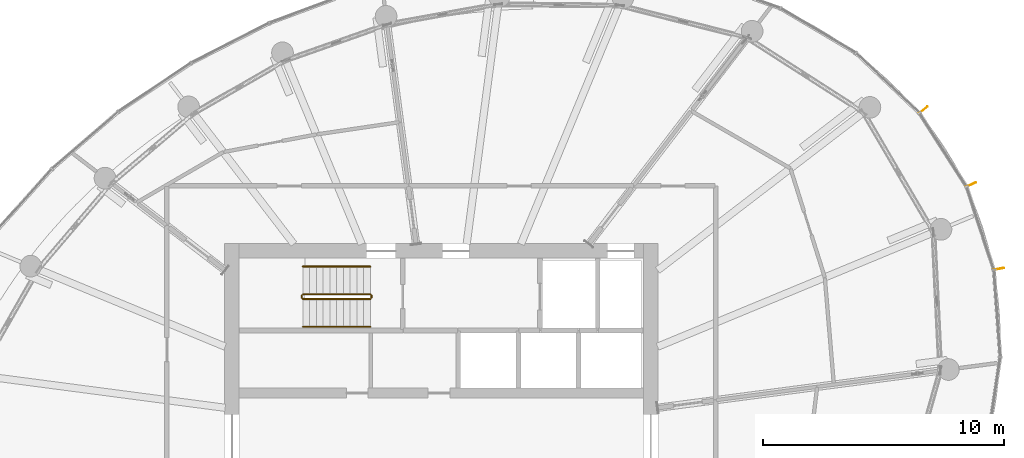
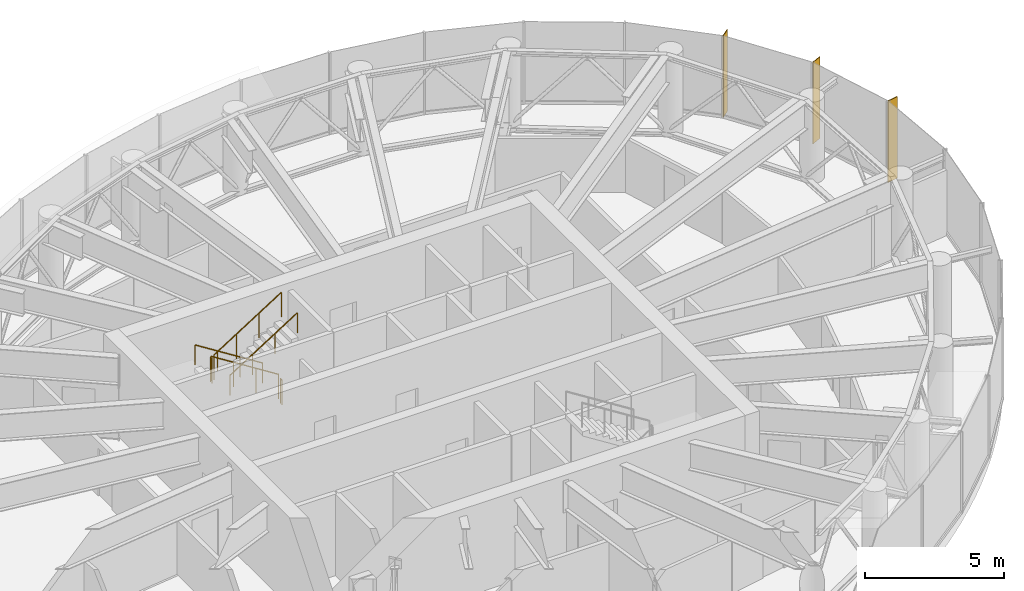
# One storey, part 26 of 26: 6 railings, 3 shading devices.
"""IFC4 building model written with IfcOpenShell, lengths in metres."""

from ifc_helpers import new_model, si_unit, direction, frame, origin, origin_2d, place, context, subcontext, project, spatial, rectangle, circle, extrude, source, transform, mapped, material, material_profile, profile_set, type_object, element, save


model = new_model("IFC4")

# Units and contexts
model_context = context("Model", 3, precision=1e-05, world=origin(), true_north=direction((0.0, 1.0)))
body_context = subcontext(model_context, "Body", "Model", "MODEL_VIEW")
ifc_project = project(units=[si_unit("LENGTHUNIT", "METRE"), si_unit("AREAUNIT", "SQUARE_METRE"), si_unit("VOLUMEUNIT", "CUBIC_METRE"), si_unit("PLANEANGLEUNIT", "RADIAN"), si_unit("MASSUNIT", "GRAM", prefix="KILO")], contexts=[model_context])

# Site, building, storey
site_placement = place(None, origin())
site = spatial("IfcSite", under=ifc_project, at=site_placement, CompositionType="ELEMENT")
building_placement = place(site_placement, origin())
building = spatial("IfcBuilding", under=site, at=building_placement, Name="Spindrift Exchange Tower", CompositionType="ELEMENT")
storey_placement = place(building_placement, frame((0.0, 0.0, 230.60009765625)))
storey = spatial("IfcBuildingStorey", under=building, at=storey_placement, Name="L56", CompositionType="ELEMENT", Elevation=230.60009765625)

# Railings
ifc_material_1 = material(Name="Steel balustrade", Category="steel")
railing_type_1 = type_object("IfcRailingType", Name="RL-STAIR-GUARD", PredefinedType="GUARDRAIL", material=ifc_material_1)
railing_1_placement = place(storey_placement, frame((49.050048828125, 53.89990234375, 0.17724609375)))
element("IfcRailing", 1, at=railing_1_placement, inside=storey, type_object=railing_type_1, Name="L56 ST1 stair guard 1", PredefinedType="GUARDRAIL", context=body_context, shape_type="SweptSolid", body=[
    extrude(circle(Radius=0.02392578125, at=origin_2d()), frame((0.0, 0.0, 1.076171875), z_axis=(-0.844908973607, 0.0, 0.534910110503), x_axis=(0.0, -1.0, 0.0)), (0.0, 0.0, 1.0), 3.31396484375),
    extrude(circle(Radius=0.02099609375, at=origin_2d()), origin(), (0.0, 0.0, 1.0), 1.052001953125),
    extrude(circle(Radius=0.02099609375, at=origin_2d()), frame((-0.933349609375, 0.0, 0.5908203125)), (0.0, 0.0, 1.0), 1.052001953125),
    extrude(circle(Radius=0.02099609375, at=origin_2d()), frame((-1.86669921875, 0.0, 1.181884765625)), (0.0, 0.0, 1.0), 1.052001953125),
    extrude(circle(Radius=0.02099609375, at=origin_2d()), frame((-2.800048828125, 0.0, 1.772705078125)), (0.0, 0.0, 1.0), 1.052001953125),
])
railing_2_placement = place(storey_placement, frame((46.199951171875, 53.85009765625, 1.949951171875)))
element("IfcRailing", 2, at=railing_2_placement, inside=storey, type_object=railing_type_1, Name="L56 ST1 stair guard 2", PredefinedType="GUARDRAIL", context=body_context, shape_type="SweptSolid", body=[
    extrude(circle(Radius=0.02392578125, at=origin_2d()), frame((0.0, 0.0, 1.076171875), z_axis=(0.0, -1.0, 0.0), x_axis=(1.0, 0.0, 0.0)), (0.0, 0.0, 1.0), 0.10009765625),
    extrude(circle(Radius=0.02099609375, at=origin_2d()), origin(), (0.0, 0.0, 1.0), 1.052001953125),
    extrude(circle(Radius=0.02099609375, at=origin_2d()), frame((0.0, -0.10009765625, 0.0)), (0.0, 0.0, 1.0), 1.052001953125),
])
railing_3_placement = place(storey_placement, frame((46.25, 53.699951171875, 2.127197265625)))
element("IfcRailing", 3, at=railing_3_placement, inside=storey, type_object=railing_type_1, Name="L56 ST1 stair guard 3", PredefinedType="GUARDRAIL", context=body_context, shape_type="SweptSolid", body=[
    extrude(circle(Radius=0.02392578125, at=origin_2d()), frame((0.0, 0.0, 1.076171875), z_axis=(0.844908973607, 0.0, 0.534910110503), x_axis=(0.0, 1.0, 0.0)), (0.0, 0.0, 1.0), 3.31396484375),
    extrude(circle(Radius=0.02099609375, at=origin_2d()), origin(), (0.0, 0.0, 1.0), 1.052001953125),
    extrude(circle(Radius=0.02099609375, at=origin_2d()), frame((0.933349609375, 0.0, 0.5908203125)), (0.0, 0.0, 1.0), 1.052001953125),
    extrude(circle(Radius=0.02099609375, at=origin_2d()), frame((1.86669921875, 0.0, 1.181884765625)), (0.0, 0.0, 1.0), 1.052001953125),
    extrude(circle(Radius=0.02099609375, at=origin_2d()), frame((2.800048828125, 0.0, 1.772705078125)), (0.0, 0.0, 1.0), 1.052001953125),
])
railing_4_placement = place(storey_placement, frame((49.10009765625, 53.85009765625, 0.0)))
element("IfcRailing", 4, at=railing_4_placement, inside=storey, type_object=railing_type_1, Name="L56 ST1 stair guard 4", PredefinedType="GUARDRAIL", context=body_context, shape_type="SweptSolid", body=[
    extrude(circle(Radius=0.02392578125, at=origin_2d()), frame((0.0, 0.0, 1.076171875), z_axis=(0.0, -1.0, 0.0), x_axis=(1.0, 0.0, 0.0)), (0.0, 0.0, 1.0), 0.10009765625),
    extrude(circle(Radius=0.02099609375, at=origin_2d()), origin(), (0.0, 0.0, 1.0), 1.052001953125),
    extrude(circle(Radius=0.02099609375, at=origin_2d()), frame((0.0, -0.10009765625, 0.0)), (0.0, 0.0, 1.0), 1.052001953125),
])
ifc_material_2 = material(Name="Steel tubular handrail", Category="steel")
railing_type_2 = type_object("IfcRailingType", Name="RL-STAIR-HAND", PredefinedType="HANDRAIL", material=ifc_material_2)
railing_5_placement = place(storey_placement, frame((49.050048828125, 55.050048828125, 0.17724609375)))
element("IfcRailing", 5, at=railing_5_placement, inside=storey, type_object=railing_type_2, Name="L56 ST1 stair handrail 1", PredefinedType="HANDRAIL", context=body_context, shape_type="SweptSolid", body=[
    extrude(circle(Radius=0.02392578125, at=origin_2d()), frame((0.0, 0.0, 0.8759765625), z_axis=(-0.844908973607, 0.0, 0.534910110503), x_axis=(0.0, -1.0, 0.0)), (0.0, 0.0, 1.0), 3.31396484375),
    extrude(circle(Radius=0.02099609375, at=origin_2d()), origin(), (0.0, 0.0, 1.0), 0.851806640625),
    extrude(circle(Radius=0.02099609375, at=origin_2d()), frame((-0.933349609375, 0.0, 0.5908203125)), (0.0, 0.0, 1.0), 0.851806640625),
    extrude(circle(Radius=0.02099609375, at=origin_2d()), frame((-1.86669921875, 0.0, 1.181884765625)), (0.0, 0.0, 1.0), 0.851806640625),
    extrude(circle(Radius=0.02099609375, at=origin_2d()), frame((-2.800048828125, 0.0, 1.772705078125)), (0.0, 0.0, 1.0), 0.851806640625),
])
railing_6_placement = place(storey_placement, frame((46.25, 52.550048828125, 2.127197265625)))
element("IfcRailing", 6, at=railing_6_placement, inside=storey, type_object=railing_type_2, Name="L56 ST1 stair handrail 2", PredefinedType="HANDRAIL", context=body_context, shape_type="SweptSolid", body=[
    extrude(circle(Radius=0.02392578125, at=origin_2d()), frame((0.0, 0.0, 0.8759765625), z_axis=(0.844908973607, 0.0, 0.534910110503), x_axis=(0.0, 1.0, 0.0)), (0.0, 0.0, 1.0), 3.31396484375),
    extrude(circle(Radius=0.02099609375, at=origin_2d()), origin(), (0.0, 0.0, 1.0), 0.851806640625),
    extrude(circle(Radius=0.02099609375, at=origin_2d()), frame((0.933349609375, 0.0, 0.5908203125)), (0.0, 0.0, 1.0), 0.851806640625),
    extrude(circle(Radius=0.02099609375, at=origin_2d()), frame((1.86669921875, 0.0, 1.181884765625)), (0.0, 0.0, 1.0), 0.851806640625),
    extrude(circle(Radius=0.02099609375, at=origin_2d()), frame((2.800048828125, 0.0, 1.772705078125)), (0.0, 0.0, 1.0), 0.851806640625),
])

# Shading devices
ifc_material_3 = material(Name="Bronze anodised aluminium", Category="aluminium")
ifc_material_profile = material_profile(ifc_material_3, rectangle(XDim=0.030029296875, YDim=0.449951171875, at=origin_2d()), Name="WIND FIN 30X450")
ifc_profile_set = profile_set([ifc_material_profile], Name="Bronze anodised aluminium")
shading_device_type = type_object("IfcShadingDeviceType", Name="WIND FIN 30X450", PredefinedType="USERDEFINED", material=ifc_profile_set)
shared_shape = source(origin(), body_context, "Body", "SweptSolid", [
    extrude(rectangle(XDim=0.030029296875, YDim=0.449951171875, at=origin_2d()), origin(), (0.0, 0.0, 1.0), 3.579833984375),
])
for number, where, z_axis, x_axis, name in (
    (7, (73.99951171875, 58.45068359375, 0.0), (0.0, 0.0, 1.0), (-0.429095941591, 0.90325891798, 0.0), "L56 wind fin 2"),
    (8, (72.01123046875, 61.5517578125, 0.0), (0.0, 0.0, 1.0), (-0.638242612299, 0.769835286179, 0.0), "L56 wind fin 3"),
    (9, (75.147216796875, 54.950439453125, 0.0), (0.0, 0.0, 1.0), (-0.193534057093, 0.98109355759, 0.0), "L56 wind fin 4"),
):
    element("IfcShadingDevice", number, at=place(storey_placement, frame(where, z_axis=z_axis, x_axis=x_axis)), inside=storey, type_object=shading_device_type, Name=name, ObjectType="FIN", PredefinedType="USERDEFINED", context=body_context, shape_type="MappedRepresentation", body=[
        mapped(shared_shape, transform((0.0, 0.0, 0.0), scale=1.0)),
    ])

save(model, "model.ifc")
